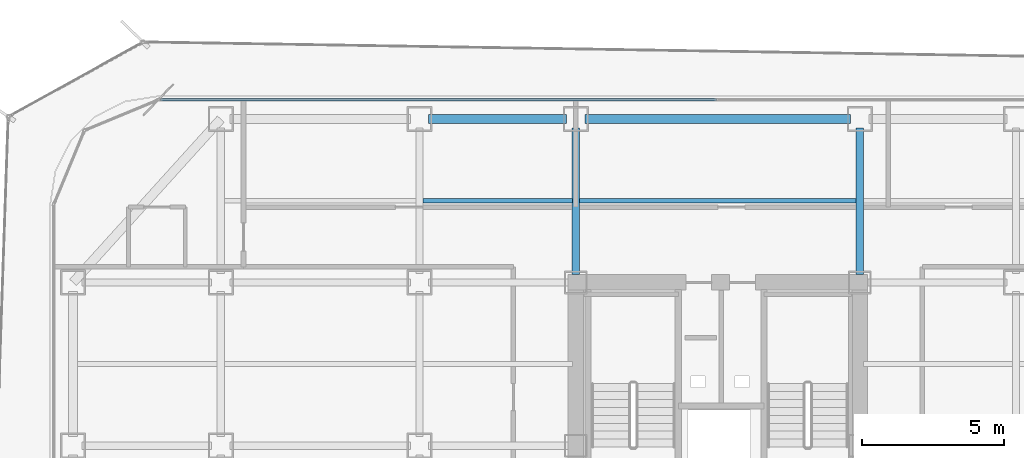
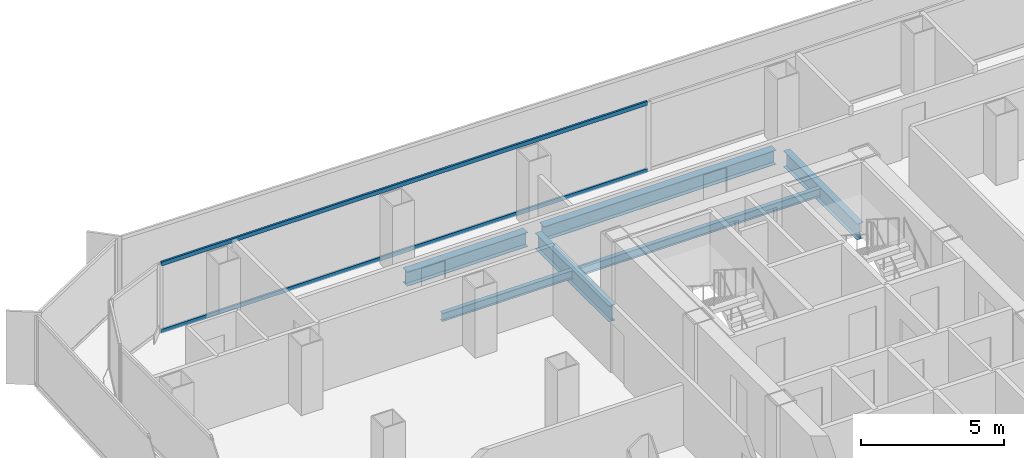
# One storey, part 11 of 21: 6 beams, 2 members, 1 element without a shape of its own.
"""IFC4 building model written with IfcOpenShell, lengths in metres."""

from ifc_helpers import new_model, si_unit, direction, frame, origin, origin_2d, place, context, subcontext, project, spatial, hollow_rectangle, i_section, extrude, source, transform, mapped, material, layer, layer_set, material_profile, profile_set, type_object, element, aggregate, save


model = new_model("IFC4")

# Units and contexts
model_context = context("Model", 3, precision=1e-05, world=origin(), true_north=direction((0.0, 1.0)))
body_context = subcontext(model_context, "Body", "Model", "MODEL_VIEW")
ifc_project = project(units=[si_unit("LENGTHUNIT", "METRE"), si_unit("AREAUNIT", "SQUARE_METRE"), si_unit("VOLUMEUNIT", "CUBIC_METRE"), si_unit("PLANEANGLEUNIT", "RADIAN"), si_unit("MASSUNIT", "GRAM", prefix="KILO")], contexts=[model_context])

# Site, building, storey
site_placement = place(None, origin())
site = spatial("IfcSite", under=ifc_project, at=site_placement, CompositionType="ELEMENT")
building_placement = place(site_placement, origin())
building = spatial("IfcBuilding", under=site, at=building_placement, Name="Kolveth Station Tower", CompositionType="ELEMENT")
storey_placement = place(building_placement, frame((0.0, 0.0, 95.89990234375)))
storey = spatial("IfcBuildingStorey", under=building, at=storey_placement, Name="L25", CompositionType="ELEMENT", Elevation=95.89990234375)

# Beams
ifc_material_1 = material(Name="Steel S355", Category="steel")
ifc_material_profile_1 = material_profile(ifc_material_1, i_section(OverallWidth=0.323974609375, OverallDepth=0.611083984375, WebThickness=0.0126953125, FlangeThickness=0.01904296875, at=origin_2d()), Name="W610x155")
ifc_profile_set_1 = profile_set([ifc_material_profile_1], Name="Steel S355")
beam_type_1 = type_object("IfcBeamType", Name="Beam_SP2", PredefinedType="SPANDREL", material=ifc_profile_set_1)
shared_shape_1 = source(origin(), body_context, "Body", "SweptSolid", [
    extrude(i_section(OverallWidth=0.323974609375, OverallDepth=0.611083984375, WebThickness=0.0126953125, FlangeThickness=0.01904296875, at=origin_2d()), origin(), (0.0, 0.0, 1.0), 4.85986328125),
])
beam_1_placement = place(storey_placement, frame((13.320068359375, 34.5, -0.555419921875), z_axis=(1.0, 0.0, 0.0), x_axis=(0.0, 1.0, 0.0)))
element("IfcBeam", 1, at=beam_1_placement, inside=storey, type_object=beam_type_1, Name="L25 Perimeter Spandrel BM-L25-PN-2", PredefinedType="SPANDREL", context=body_context, shape_type="MappedRepresentation", body=[
    mapped(shared_shape_1, transform((0.0, 0.0, 0.0), x_axis=(1.0, 0.0, 0.0), y_axis=(0.0, 1.0, 0.0), z_axis=(0.0, 0.0, 1.0), scale=1.0)),
])
shared_shape_2 = source(origin(), body_context, "Body", "SweptSolid", [
    extrude(i_section(OverallWidth=0.323974609375, OverallDepth=0.611083984375, WebThickness=0.0126953125, FlangeThickness=0.01904296875, at=origin_2d()), origin(), (0.0, 0.0, 1.0), 9.35986328125),
])
beam_2_placement = place(storey_placement, frame((18.820068359375, 34.5, -0.555419921875), z_axis=(1.0, 0.0, 0.0), x_axis=(0.0, 1.0, 0.0)))
element("IfcBeam", 2, at=beam_2_placement, inside=storey, type_object=beam_type_1, Name="L25 Perimeter Spandrel BM-L25-PN-3", PredefinedType="SPANDREL", context=body_context, shape_type="MappedRepresentation", body=[
    mapped(shared_shape_2, transform((0.0, 0.0, 0.0), x_axis=(1.0, 0.0, 0.0), y_axis=(0.0, 1.0, 0.0), z_axis=(0.0, 0.0, 1.0), scale=1.0)),
])
ifc_material_profile_2 = material_profile(ifc_material_1, i_section(OverallWidth=0.25390625, OverallDepth=0.68798828125, WebThickness=0.01318359375, FlangeThickness=0.02099609375, at=origin_2d()), Name="W690x152")
ifc_profile_set_2 = profile_set([ifc_material_profile_2], Name="Steel S355")
beam_type_2 = type_object("IfcBeamType", Name="Beam_B4", PredefinedType="BEAM", material=ifc_profile_set_2)
shared_shape_3 = source(origin(), body_context, "Body", "SweptSolid", [
    extrude(i_section(OverallWidth=0.25390625, OverallDepth=0.68798828125, WebThickness=0.01318359375, FlangeThickness=0.02099609375, at=origin_2d()), origin(), (0.0, 0.0, 1.0), 5.14990234375),
])
for number, where, z_axis, x_axis, name in (
    (3, (18.5, 29.030029296875, -0.593994140625), (0.0, 1.0, 0.0), (-1.0, 0.0, 0.0), "L25 Primary Girder BM-L25-GX185-6"),
    (4, (28.5, 29.030029296875, -0.593994140625), (0.0, 1.0, 0.0), (-1.0, 0.0, 0.0), "L25 Primary Girder BM-L25-GX285-6"),
):
    element("IfcBeam", number, at=place(storey_placement, frame(where, z_axis=z_axis, x_axis=x_axis)), inside=storey, type_object=beam_type_2, Name=name, PredefinedType="BEAM", context=body_context, shape_type="MappedRepresentation", body=[
        mapped(shared_shape_3, transform((0.0, 0.0, 0.0), x_axis=(1.0, 0.0, 0.0), y_axis=(0.0, 1.0, 0.0), z_axis=(0.0, 0.0, 1.0), scale=1.0)),
    ])
ifc_material_profile_3 = material_profile(ifc_material_1, i_section(OverallWidth=0.1708984375, OverallDepth=0.35205078125, WebThickness=0.0068359375, FlangeThickness=0.009765625, at=origin_2d()), Name="W360x44")
ifc_profile_set_3 = profile_set([ifc_material_profile_3], Name="Steel S355")
beam_type_3 = type_object("IfcBeamType", Name="Beam_J2", PredefinedType="JOIST", material=ifc_profile_set_3)
shared_shape_4 = source(origin(), body_context, "Body", "SweptSolid", [
    extrude(i_section(OverallWidth=0.1708984375, OverallDepth=0.35205078125, WebThickness=0.0068359375, FlangeThickness=0.009765625, at=origin_2d()), origin(), (0.0, 0.0, 1.0), 5.25),
])
beam_3_placement = place(storey_placement, frame((13.125, 31.625, -0.42578125), z_axis=(1.0, 0.0, 0.0), x_axis=(0.0, 1.0, 0.0)))
element("IfcBeam", 5, at=beam_3_placement, inside=storey, type_object=beam_type_3, Name="L25 Secondary Joist JST-L25-3-6", PredefinedType="JOIST", context=body_context, shape_type="MappedRepresentation", body=[
    mapped(shared_shape_4, transform((0.0, 0.0, 0.0), x_axis=(1.0, 0.0, 0.0), y_axis=(0.0, 1.0, 0.0), z_axis=(0.0, 0.0, 1.0), scale=1.0)),
])
shared_shape_5 = source(origin(), body_context, "Body", "SweptSolid", [
    extrude(i_section(OverallWidth=0.1708984375, OverallDepth=0.35205078125, WebThickness=0.0068359375, FlangeThickness=0.009765625, at=origin_2d()), origin(), (0.0, 0.0, 1.0), 9.75),
])
beam_4_placement = place(storey_placement, frame((18.625, 31.625, -0.42578125), z_axis=(1.0, 0.0, 0.0), x_axis=(0.0, 1.0, 0.0)))
element("IfcBeam", 6, at=beam_4_placement, inside=storey, type_object=beam_type_3, Name="L25 Secondary Joist JST-L25-4-6", PredefinedType="JOIST", context=body_context, shape_type="MappedRepresentation", body=[
    mapped(shared_shape_5, transform((0.0, 0.0, 0.0), x_axis=(1.0, 0.0, 0.0), y_axis=(0.0, 1.0, 0.0), z_axis=(0.0, 0.0, 1.0), scale=1.0)),
])

# Curtain wall, members
ifc_material_2 = material(Name="Aluminium 6063-T6 and low-E dark glass", Category="aluminium")
ifc_layer = layer(ifc_material_2, 0.18994140625)
ifc_layer_set = layer_set([ifc_layer], Name="Aluminium 6063-T6 and low-E dark glass")
curtain_wall_type = type_object("IfcCurtainWallType", Name="CurtainWall_CW-Z2", PredefinedType="NOTDEFINED", material=ifc_layer_set)
curtain_wall_placement = place(storey_placement, origin())
curtain_wall = element("IfcCurtainWall", 7, at=curtain_wall_placement, inside=storey, type_object=curtain_wall_type, Name="L25 Inner Thermal Curtain Wall 6", PredefinedType="NOTDEFINED")
ifc_material_3 = material(Name="Black anodized aluminium 6063-T6", Category="aluminium")
ifc_material_profile_4 = material_profile(ifc_material_3, hollow_rectangle(XDim=0.080078125, YDim=0.169921875, WallThickness=0.0048828125, at=origin_2d()), Name="ALU-80x170x5")
ifc_profile_set_4 = profile_set([ifc_material_profile_4], Name="Black anodized aluminium 6063-T6")
member_type = type_object("IfcMemberType", Name="Transom_TR2", PredefinedType="USERDEFINED", material=ifc_profile_set_4)
shared_shape_6 = source(origin(), body_context, "Body", "SweptSolid", [
    extrude(hollow_rectangle(XDim=0.080078125, YDim=0.169921875, WallThickness=0.0048828125, at=origin_2d()), origin(), (0.0, 0.0, 1.0), 19.580078125),
])
member_1_placement = place(storey_placement, frame((23.4599609375, 35.179931640625, 0.0400390625), z_axis=(-1.0, 0.0, 0.0), x_axis=(0.0, -1.0, 0.0)))
member_1 = element("IfcMember", 8, at=member_1_placement, type_object=member_type, Name="CW-Z2 transom 2.1", ObjectType="TRANSOM", PredefinedType="USERDEFINED", context=body_context, shape_type="MappedRepresentation", body=[
    mapped(shared_shape_6, transform((0.0, 0.0, 0.0), x_axis=(1.0, 0.0, 0.0), y_axis=(0.0, 1.0, 0.0), z_axis=(0.0, 0.0, 1.0), scale=1.0)),
])
member_2_placement = place(storey_placement, frame((23.4599609375, 35.179931640625, 2.91015625), z_axis=(-1.0, 0.0, 0.0), x_axis=(0.0, -1.0, 0.0)))
member_2 = element("IfcMember", 9, at=member_2_placement, type_object=member_type, Name="CW-Z2 transom 2.2", ObjectType="TRANSOM", PredefinedType="USERDEFINED", context=body_context, shape_type="MappedRepresentation", body=[
    mapped(shared_shape_6, transform((0.0, 0.0, 0.0), x_axis=(1.0, 0.0, 0.0), y_axis=(0.0, 1.0, 0.0), z_axis=(0.0, 0.0, 1.0), scale=1.0)),
])
aggregate(curtain_wall, [member_1, member_2])

save(model, "model.ifc")
